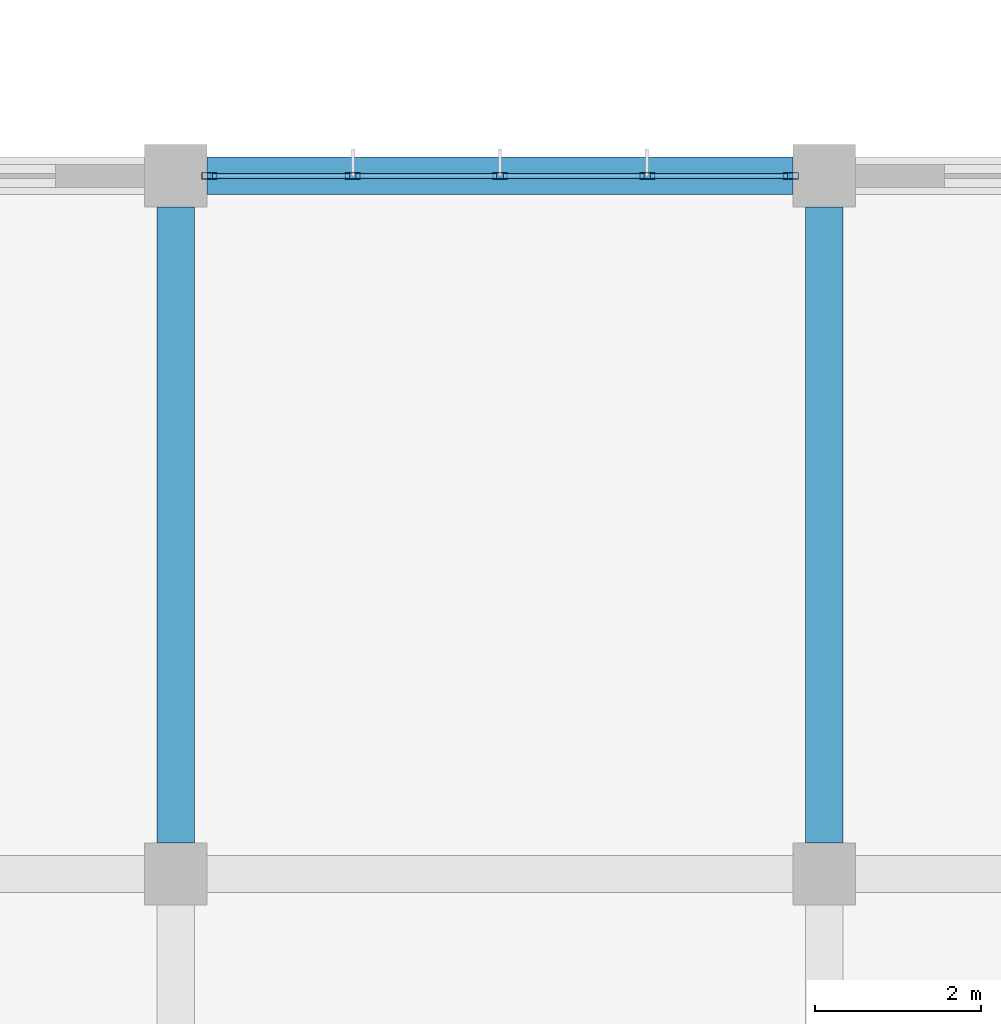
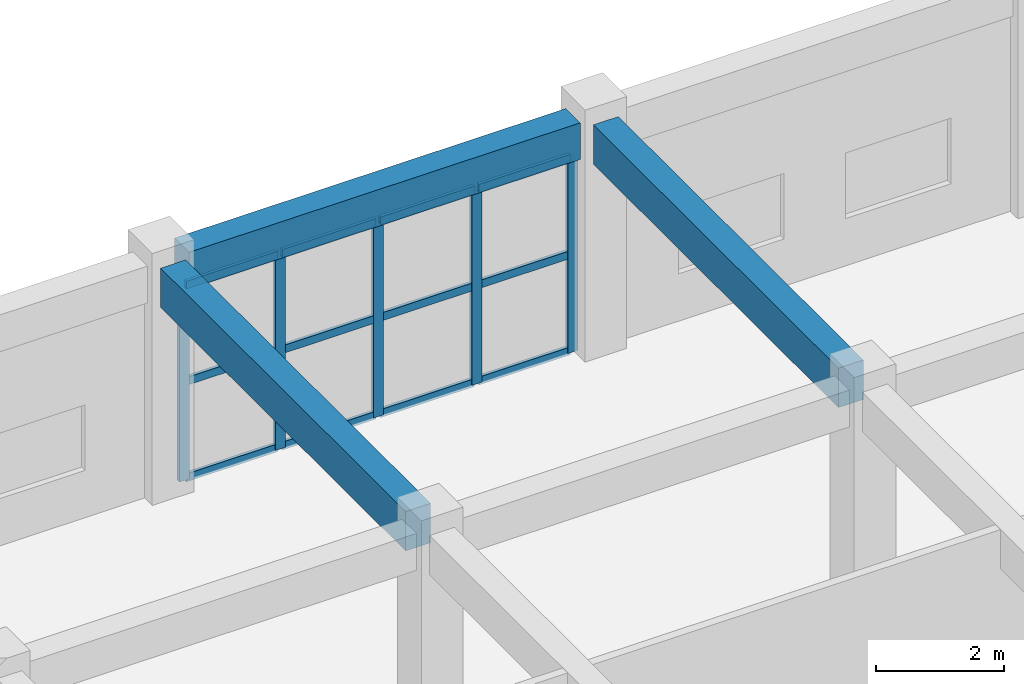
# One storey, part 119 of 167: 17 members, 3 beams, 1 element without a shape of its own.
"""IFC4 building model written with IfcOpenShell, lengths in metres."""

import ifcopenshell
import ifcopenshell.guid

model = None  # the IFC model being written
_history = None  # IfcOwnerHistory: only IFC2X3 demands one
_inside = {}  # id of a spatial element -> (the spatial element, [elements in it])
_under = {}  # id of a project, library or spatial element -> (it, [spatial elements below it])
_declared = {}  # id of a project -> (the project, [libraries it declares])
_typed = {}  # id of a type object -> (the type object, [elements of that type])
_made_of = {}  # id of a material, layer set ... -> (it, [elements and type objects made of it])


def new_model(schema):
    """Start an empty IFC model of exactly this schema.

    Asked for "IFC4X3", IfcOpenShell would pick the latest addendum, in which some entities
    have other attributes; the version numbers below select the first issue.
    IFC2X3 requires an IfcOwnerHistory on every rooted entity: one is made here for all.
    """
    global model, _history
    if schema == "IFC4X3":
        model = ifcopenshell.file(schema_version=(4, 3, 0, 0))
    else:
        model = ifcopenshell.file(schema=schema)
    _inside.clear()
    _under.clear()
    _declared.clear()
    _typed.clear()
    _made_of.clear()
    _history = None
    if model.schema == "IFC2X3":
        org = make("IfcOrganization", Name="unknown")
        user = make(
            "IfcPersonAndOrganization",
            ThePerson=make("IfcPerson", FamilyName="unknown"),
            TheOrganization=org,
        )
        app = make(
            "IfcApplication",
            ApplicationDeveloper=org,
            Version="unknown",
            ApplicationFullName="unknown",
            ApplicationIdentifier="unknown",
        )
        _history = make(
            "IfcOwnerHistory",
            OwningUser=user,
            OwningApplication=app,
            ChangeAction="ADDED",
            CreationDate=0,
        )
    return model


def make(cls, **values):
    """One entity of the class cls with the attributes given. An attribute that is None is left unset."""
    return model.create_entity(
        cls, **{name: value for name, value in values.items() if value is not None}
    )


def rooted(cls, **values):
    """An entity with a GlobalId (a new one), such as an element, a storey or a relation."""
    return make(cls, GlobalId=ifcopenshell.guid.new(), OwnerHistory=_history, **values)


def si_unit(unit_type, name, prefix=None):
    """IfcSIUnit, for example si_unit("LENGTHUNIT", "METRE", prefix="MILLI")."""
    return make("IfcSIUnit", UnitType=unit_type, Prefix=prefix, Name=name)


def assignment(units):
    """IfcUnitAssignment: the units of a project."""
    return None if units is None else make("IfcUnitAssignment", Units=units)


def point(xyz):
    """IfcCartesianPoint."""
    return None if xyz is None else make("IfcCartesianPoint", Coordinates=xyz)


def direction(xyz):
    """IfcDirection."""
    return None if xyz is None else make("IfcDirection", DirectionRatios=xyz)


def frame(location, z_axis=None, x_axis=None):
    """IfcAxis2Placement3D, a coordinate frame: its origin and axes. An axis left out is left unset."""
    return make(
        "IfcAxis2Placement3D",
        Location=point(location),
        Axis=direction(z_axis),
        RefDirection=direction(x_axis),
    )


def frame_2d(location, x_axis=None):
    """IfcAxis2Placement2D, a coordinate frame in the plane: its origin and x axis."""
    return make(
        "IfcAxis2Placement2D", Location=point(location), RefDirection=direction(x_axis)
    )


def origin():
    """The frame at (0, 0, 0) with its axes left unset."""
    return frame((0.0, 0.0, 0.0))


def origin_2d():
    """The frame at (0, 0) in the plane with its x axis left unset."""
    return frame_2d((0.0, 0.0))


def place(relative_to, where):
    """IfcLocalPlacement: puts the frame where relative to a parent placement (None: the world)."""
    return make(
        "IfcLocalPlacement", PlacementRelTo=relative_to, RelativePlacement=where
    )


def context(
    kind, dimensions, precision=None, world=None, true_north=None, identifier=None
):
    """IfcGeometricRepresentationContext, for example the 3D "Model" context."""
    return make(
        "IfcGeometricRepresentationContext",
        ContextIdentifier=identifier,
        ContextType=kind,
        CoordinateSpaceDimension=dimensions,
        Precision=precision,
        WorldCoordinateSystem=world,
        TrueNorth=true_north,
    )


def subcontext(parent, identifier, kind, view, scale=None):
    """IfcGeometricRepresentationSubContext, for example "Body" below "Model"."""
    return make(
        "IfcGeometricRepresentationSubContext",
        ContextIdentifier=identifier,
        ContextType=kind,
        ParentContext=parent,
        TargetScale=scale,
        TargetView=view,
    )


def project(units=None, contexts=None):
    """IfcProject with its units and contexts."""
    return rooted(
        "IfcProject",
        Name="project",
        RepresentationContexts=contexts,
        UnitsInContext=assignment(units),
    )


def spatial(cls, under=None, at=None, **own):
    """A site, building, storey or space (cls), placed at a placement, below another one or the project."""
    s = rooted(cls, ObjectPlacement=at, **own)
    if under is not None:
        _under.setdefault(under.id(), (under, []))[1].append(s)
    return s


def profile(cls, at=None, kind="AREA", **sizes):
    """A parametric profile (cls). Its sizes go by their IFC names, for example OverallWidth=200.0."""
    return make(cls, ProfileType=kind, Position=at, **sizes)


def rectangle(**sizes):
    """IfcRectangleProfileDef."""
    return profile("IfcRectangleProfileDef", **sizes)


def hollow_rectangle(**sizes):
    """IfcRectangleHollowProfileDef."""
    return profile("IfcRectangleHollowProfileDef", **sizes)


def extrude(swept, where, along, depth):
    """IfcExtrudedAreaSolid: the profile swept, set in the frame where, extruded along a direction by depth."""
    return make(
        "IfcExtrudedAreaSolid",
        SweptArea=swept,
        Position=where,
        ExtrudedDirection=direction(along),
        Depth=depth,
    )


def shape(context_of_items, identifier, shape_type, items):
    """IfcShapeRepresentation: the items that make up one representation, for example the "Body"."""
    return make(
        "IfcShapeRepresentation",
        ContextOfItems=context_of_items,
        RepresentationIdentifier=identifier,
        RepresentationType=shape_type,
        Items=items,
    )


def material(Name=None, Category=None):
    """IfcMaterial."""
    return make("IfcMaterial", Name=Name, Category=Category)


def layer(
    of_material, thickness, ventilated=None, Name=None, Category=None, Priority=None
):
    """IfcMaterialLayer: one layer of a wall or slab, of a material (None: an air gap)."""
    return make(
        "IfcMaterialLayer",
        Material=of_material,
        LayerThickness=thickness,
        IsVentilated=ventilated,
        Name=Name,
        Category=Category,
        Priority=Priority,
    )


def layer_set(layers, Name=None):
    """IfcMaterialLayerSet."""
    return make("IfcMaterialLayerSet", MaterialLayers=layers, LayerSetName=Name)


def material_profile(
    of_material, cross_section, Name=None, Category=None, Priority=None
):
    """IfcMaterialProfile: a cross section and its material."""
    return make(
        "IfcMaterialProfile",
        Name=Name,
        Material=of_material,
        Profile=cross_section,
        Priority=Priority,
        Category=Category,
    )


def profile_set(profiles, Name=None, composite=None):
    """IfcMaterialProfileSet."""
    return make(
        "IfcMaterialProfileSet",
        Name=Name,
        MaterialProfiles=profiles,
        CompositeProfile=composite,
    )


def made_of(thing, what):
    """Note that an element or type object is made of a material, layer set ...; save() writes the relation."""
    if what is not None:
        _made_of.setdefault(what.id(), (what, []))[1].append(thing)
    return thing


def type_object(cls, material=None, **own):
    """A type object (cls), such as IfcWallType, which elements share."""
    return made_of(rooted(cls, **own), material)


def element(
    cls,
    number,
    at=None,
    inside=None,
    cuts=None,
    type_object=None,
    material=None,
    context=None,
    identifier="Body",
    shape_type=None,
    held_by="IfcProductDefinitionShape",
    body=None,
    shapes=None,
    **own,
):
    """One element of the class cls, such as IfcWall. Its Tag is "e" and its number.

    at: its placement. inside: the storey or other place that contains it. cuts: it is an
    opening in that element (IfcRelVoidsElement). A single representation is given by context,
    identifier, shape_type and body (its items); several are given by shapes. held_by: the class
    of the entity that holds the representations. save() writes the other relations.
    """
    e = rooted(cls, Tag="e%d" % number, ObjectPlacement=at, **own)
    if body is not None:
        shapes = [shape(context, identifier, shape_type, body)]
    if shapes is not None:
        e.Representation = make(held_by, Representations=shapes)
    if inside is not None:
        _inside.setdefault(inside.id(), (inside, []))[1].append(e)
    if cuts is not None:
        rooted(
            "IfcRelVoidsElement", RelatingBuildingElement=cuts, RelatedOpeningElement=e
        )
    if type_object is not None:
        _typed.setdefault(type_object.id(), (type_object, []))[1].append(e)
    return made_of(e, material)


def aggregate(whole, parts):
    """IfcRelAggregates: a whole, such as a stair, and the parts it consists of."""
    return rooted("IfcRelAggregates", RelatingObject=whole, RelatedObjects=parts)


def save(model, path):
    """Write the relations noted so far, then the file.

    IfcRelAggregates (storeys below a building ...), IfcRelContainedInSpatialStructure (elements
    in a storey), IfcRelDefinesByType, IfcRelAssociatesMaterial and IfcRelDeclares: one each for
    every whole, place, type object, material and project.
    """
    for whole, parts in _under.values():
        aggregate(whole, parts)
    for where, things in _inside.values():
        rooted(
            "IfcRelContainedInSpatialStructure",
            RelatedElements=things,
            RelatingStructure=where,
        )
    for kind, things in _typed.values():
        rooted("IfcRelDefinesByType", RelatedObjects=things, RelatingType=kind)
    for what, things in _made_of.values():
        rooted("IfcRelAssociatesMaterial", RelatedObjects=things, RelatingMaterial=what)
    for by, libraries in _declared.values():
        rooted("IfcRelDeclares", RelatingContext=by, RelatedDefinitions=libraries)
    model.write(path)


model = new_model("IFC4")

# Units and contexts
model_context = context("Model", 3, precision=1e-05, world=origin(), true_north=direction((0.0, 1.0)))
body_context = subcontext(model_context, "Body", "Model", "MODEL_VIEW")
ifc_project = project(units=[si_unit("LENGTHUNIT", "METRE"), si_unit("AREAUNIT", "SQUARE_METRE"), si_unit("VOLUMEUNIT", "CUBIC_METRE"), si_unit("PLANEANGLEUNIT", "RADIAN"), si_unit("MASSUNIT", "GRAM", prefix="KILO")], contexts=[model_context])

# Site, building, storey
site_placement = place(None, origin())
site = spatial("IfcSite", under=ifc_project, at=site_placement, CompositionType="ELEMENT")
building_placement = place(site_placement, origin())
building = spatial("IfcBuilding", under=site, at=building_placement, Name="Zizhar Promenade General Hospital", CompositionType="ELEMENT")
storey_placement = place(building_placement, frame((0.0, 0.0, 9.60009765625)))
storey = spatial("IfcBuildingStorey", under=building, at=storey_placement, Name="L02", CompositionType="ELEMENT", Elevation=9.60009765625)

# Beams
ifc_material_1 = material(Name="Concrete C35/45", Category="concrete")
ifc_material_profile_1 = material_profile(ifc_material_1, rectangle(XDim=0.449951171875, YDim=0.699951171875, at=origin_2d()))
ifc_profile_set_1 = profile_set([ifc_material_profile_1], Name="Concrete C35/45")
beam_type_1 = type_object("IfcBeamType", Name="BM-RC-450x700", PredefinedType="BEAM", material=ifc_profile_set_1)
beam_placement = place(storey_placement, frame((70.574951171875, 134.39990234375, 4.119873046875), z_axis=(1.0, 0.0, 0.0), x_axis=(0.0, 1.0, 0.0)))
element("IfcBeam", 1, at=beam_placement, inside=storey, type_object=beam_type_1, Name="Grid Beam X L02 (9-16)", PredefinedType="BEAM", context=body_context, shape_type="SweptSolid", body=[
    extrude(rectangle(XDim=0.449951171875, YDim=0.699951171875, at=origin_2d()), origin(), (0.0, 0.0, 1.0), 7.050048828125),
])
ifc_material_2 = material(Name="Concrete C35/45", Category="concrete")
ifc_material_profile_2 = material_profile(ifc_material_2, rectangle(XDim=0.449951171875, YDim=0.75, at=origin_2d()))
ifc_profile_set_2 = profile_set([ifc_material_profile_2], Name="Concrete C35/45")
beam_type_2 = type_object("IfcBeamType", Name="BM-RC-450x750", PredefinedType="BEAM", material=ifc_profile_set_2)
for number, where, z_axis, x_axis, name in (
    (2, (70.199951171875, 126.375, 4.094970703125), (0.0, 1.0, 0.0), (-1.0, 0.0, 0.0), "Grid Beam Y L02 (9-15)"),
    (3, (78.0, 126.375, 4.094970703125), (0.0, 1.0, 0.0), (-1.0, 0.0, 0.0), "Grid Beam Y L02 (10-15)"),
):
    element("IfcBeam", number, at=place(storey_placement, frame(where, z_axis=z_axis, x_axis=x_axis)), inside=storey, type_object=beam_type_2, Name=name, PredefinedType="BEAM", context=body_context, shape_type="SweptSolid", body=[
        extrude(rectangle(XDim=0.449951171875, YDim=0.75, at=origin_2d()), origin(), (0.0, 0.0, 1.0), 7.64990234375),
    ])

# Curtain wall, members
ifc_material_3 = material(Name="Anodised aluminium 6063-T6 and low-E glass", Category="aluminium")
ifc_layer = layer(ifc_material_3, 0.159912109375)
ifc_layer_set = layer_set([ifc_layer], Name="Anodised aluminium 6063-T6 and low-E glass")
curtain_wall_type = type_object("IfcCurtainWallType", Name="CW-DT-MOD2", PredefinedType="NOTDEFINED", material=ifc_layer_set)
curtain_wall_placement = place(storey_placement, origin())
curtain_wall = element("IfcCurtainWall", 4, at=curtain_wall_placement, inside=storey, type_object=curtain_wall_type, Name="Surgical North Glazed Curtain Wall L02-9", PredefinedType="NOTDEFINED")
ifc_material_4 = material(Name="Anodised aluminium 6063-T6", Category="aluminium")
ifc_material_profile_3 = material_profile(ifc_material_4, hollow_rectangle(XDim=0.080078125, YDim=0.179931640625, WallThickness=0.0048828125, at=origin_2d()))
ifc_profile_set_3 = profile_set([ifc_material_profile_3], Name="Anodised aluminium 6063-T6")
member_type_1 = type_object("IfcMemberType", Name="CWM-ALU-180x80", PredefinedType="MULLION", material=ifc_profile_set_3)
member_1_placement = place(storey_placement, frame((70.60009765625, 134.39990234375, 0.0), z_axis=(0.0, 0.0, 1.0), x_axis=(0.0, 1.0, 0.0)))
member_1 = element("IfcMember", 5, at=member_1_placement, type_object=member_type_1, Name="CW-08 mullion 1", PredefinedType="MULLION", context=body_context, shape_type="SweptSolid", body=[
    extrude(hollow_rectangle(XDim=0.080078125, YDim=0.179931640625, WallThickness=0.0048828125, at=origin_2d()), origin(), (0.0, 0.0, 1.0), 3.72998046875),
])
member_2_placement = place(storey_placement, frame((72.330078125, 134.39990234375, 0.0), z_axis=(0.0, 0.0, 1.0), x_axis=(0.0, 1.0, 0.0)))
member_2 = element("IfcMember", 6, at=member_2_placement, type_object=member_type_1, Name="CW-08 mullion 2", PredefinedType="MULLION", context=body_context, shape_type="SweptSolid", body=[
    extrude(hollow_rectangle(XDim=0.080078125, YDim=0.179931640625, WallThickness=0.0048828125, at=origin_2d()), origin(), (0.0, 0.0, 1.0), 3.72998046875),
])
member_3_placement = place(storey_placement, frame((74.10009765625, 134.39990234375, 0.0), z_axis=(0.0, 0.0, 1.0), x_axis=(0.0, 1.0, 0.0)))
member_3 = element("IfcMember", 7, at=member_3_placement, type_object=member_type_1, Name="CW-08 mullion 3", PredefinedType="MULLION", context=body_context, shape_type="SweptSolid", body=[
    extrude(hollow_rectangle(XDim=0.080078125, YDim=0.179931640625, WallThickness=0.0048828125, at=origin_2d()), origin(), (0.0, 0.0, 1.0), 3.72998046875),
])
member_4_placement = place(storey_placement, frame((75.8701171875, 134.39990234375, 0.0), z_axis=(0.0, 0.0, 1.0), x_axis=(0.0, 1.0, 0.0)))
member_4 = element("IfcMember", 8, at=member_4_placement, type_object=member_type_1, Name="CW-08 mullion 4", PredefinedType="MULLION", context=body_context, shape_type="SweptSolid", body=[
    extrude(hollow_rectangle(XDim=0.080078125, YDim=0.179931640625, WallThickness=0.0048828125, at=origin_2d()), origin(), (0.0, 0.0, 1.0), 3.72998046875),
])
member_5_placement = place(storey_placement, frame((77.60009765625, 134.39990234375, 0.0), z_axis=(0.0, 0.0, 1.0), x_axis=(0.0, 1.0, 0.0)))
member_5 = element("IfcMember", 9, at=member_5_placement, type_object=member_type_1, Name="CW-08 mullion 5", PredefinedType="MULLION", context=body_context, shape_type="SweptSolid", body=[
    extrude(hollow_rectangle(XDim=0.080078125, YDim=0.179931640625, WallThickness=0.0048828125, at=origin_2d()), origin(), (0.0, 0.0, 1.0), 3.72998046875),
])
ifc_material_5 = material(Name="Anodised aluminium 6063-T6", Category="aluminium")
ifc_material_profile_4 = material_profile(ifc_material_5, hollow_rectangle(XDim=0.06005859375, YDim=0.14990234375, WallThickness=0.00390625, at=origin_2d()))
ifc_profile_set_4 = profile_set([ifc_material_profile_4], Name="Anodised aluminium 6063-T6")
member_type_2 = type_object("IfcMemberType", Name="CWT-ALU-150x60", PredefinedType="USERDEFINED", material=ifc_profile_set_4)
member_6_placement = place(storey_placement, frame((70.639892578125, 134.39990234375, 0.02978515625), z_axis=(1.0, 0.0, 0.0), x_axis=(0.0, 1.0, 0.0)))
member_6 = element("IfcMember", 10, at=member_6_placement, type_object=member_type_2, Name="CW-08 transom 1.1", ObjectType="TRANSOM", PredefinedType="USERDEFINED", context=body_context, shape_type="SweptSolid", body=[
    extrude(hollow_rectangle(XDim=0.06005859375, YDim=0.14990234375, WallThickness=0.00390625, at=origin_2d()), origin(), (0.0, 0.0, 1.0), 1.650146484375),
])
member_7_placement = place(storey_placement, frame((70.639892578125, 134.39990234375, 1.864990234375), z_axis=(1.0, 0.0, 0.0), x_axis=(0.0, 1.0, 0.0)))
member_7 = element("IfcMember", 11, at=member_7_placement, type_object=member_type_2, Name="CW-08 transom 1.2", ObjectType="TRANSOM", PredefinedType="USERDEFINED", context=body_context, shape_type="SweptSolid", body=[
    extrude(hollow_rectangle(XDim=0.06005859375, YDim=0.14990234375, WallThickness=0.00390625, at=origin_2d()), origin(), (0.0, 0.0, 1.0), 1.650146484375),
])
member_8_placement = place(storey_placement, frame((70.639892578125, 134.39990234375, 3.699951171875), z_axis=(1.0, 0.0, 0.0), x_axis=(0.0, 1.0, 0.0)))
member_8 = element("IfcMember", 12, at=member_8_placement, type_object=member_type_2, Name="CW-08 transom 1.3", ObjectType="TRANSOM", PredefinedType="USERDEFINED", context=body_context, shape_type="SweptSolid", body=[
    extrude(hollow_rectangle(XDim=0.06005859375, YDim=0.14990234375, WallThickness=0.00390625, at=origin_2d()), origin(), (0.0, 0.0, 1.0), 1.650146484375),
])
member_9_placement = place(storey_placement, frame((72.3701171875, 134.39990234375, 0.02978515625), z_axis=(1.0, 0.0, 0.0), x_axis=(0.0, 1.0, 0.0)))
member_9 = element("IfcMember", 13, at=member_9_placement, type_object=member_type_2, Name="CW-08 transom 2.1", ObjectType="TRANSOM", PredefinedType="USERDEFINED", context=body_context, shape_type="SweptSolid", body=[
    extrude(hollow_rectangle(XDim=0.06005859375, YDim=0.14990234375, WallThickness=0.00390625, at=origin_2d()), origin(), (0.0, 0.0, 1.0), 1.68994140625),
])
member_10_placement = place(storey_placement, frame((72.3701171875, 134.39990234375, 1.864990234375), z_axis=(1.0, 0.0, 0.0), x_axis=(0.0, 1.0, 0.0)))
member_10 = element("IfcMember", 14, at=member_10_placement, type_object=member_type_2, Name="CW-08 transom 2.2", ObjectType="TRANSOM", PredefinedType="USERDEFINED", context=body_context, shape_type="SweptSolid", body=[
    extrude(hollow_rectangle(XDim=0.06005859375, YDim=0.14990234375, WallThickness=0.00390625, at=origin_2d()), origin(), (0.0, 0.0, 1.0), 1.68994140625),
])
member_11_placement = place(storey_placement, frame((72.3701171875, 134.39990234375, 3.699951171875), z_axis=(1.0, 0.0, 0.0), x_axis=(0.0, 1.0, 0.0)))
member_11 = element("IfcMember", 15, at=member_11_placement, type_object=member_type_2, Name="CW-08 transom 2.3", ObjectType="TRANSOM", PredefinedType="USERDEFINED", context=body_context, shape_type="SweptSolid", body=[
    extrude(hollow_rectangle(XDim=0.06005859375, YDim=0.14990234375, WallThickness=0.00390625, at=origin_2d()), origin(), (0.0, 0.0, 1.0), 1.68994140625),
])
member_12_placement = place(storey_placement, frame((74.139892578125, 134.39990234375, 0.02978515625), z_axis=(1.0, 0.0, 0.0), x_axis=(0.0, 1.0, 0.0)))
member_12 = element("IfcMember", 16, at=member_12_placement, type_object=member_type_2, Name="CW-08 transom 3.1", ObjectType="TRANSOM", PredefinedType="USERDEFINED", context=body_context, shape_type="SweptSolid", body=[
    extrude(hollow_rectangle(XDim=0.06005859375, YDim=0.14990234375, WallThickness=0.00390625, at=origin_2d()), origin(), (0.0, 0.0, 1.0), 1.690185546875),
])
member_13_placement = place(storey_placement, frame((74.139892578125, 134.39990234375, 1.864990234375), z_axis=(1.0, 0.0, 0.0), x_axis=(0.0, 1.0, 0.0)))
member_13 = element("IfcMember", 17, at=member_13_placement, type_object=member_type_2, Name="CW-08 transom 3.2", ObjectType="TRANSOM", PredefinedType="USERDEFINED", context=body_context, shape_type="SweptSolid", body=[
    extrude(hollow_rectangle(XDim=0.06005859375, YDim=0.14990234375, WallThickness=0.00390625, at=origin_2d()), origin(), (0.0, 0.0, 1.0), 1.690185546875),
])
member_14_placement = place(storey_placement, frame((74.139892578125, 134.39990234375, 3.699951171875), z_axis=(1.0, 0.0, 0.0), x_axis=(0.0, 1.0, 0.0)))
member_14 = element("IfcMember", 18, at=member_14_placement, type_object=member_type_2, Name="CW-08 transom 3.3", ObjectType="TRANSOM", PredefinedType="USERDEFINED", context=body_context, shape_type="SweptSolid", body=[
    extrude(hollow_rectangle(XDim=0.06005859375, YDim=0.14990234375, WallThickness=0.00390625, at=origin_2d()), origin(), (0.0, 0.0, 1.0), 1.690185546875),
])
member_15_placement = place(storey_placement, frame((75.909912109375, 134.39990234375, 0.02978515625), z_axis=(1.0, 0.0, 0.0), x_axis=(0.0, 1.0, 0.0)))
member_15 = element("IfcMember", 19, at=member_15_placement, type_object=member_type_2, Name="CW-08 transom 4.1", ObjectType="TRANSOM", PredefinedType="USERDEFINED", context=body_context, shape_type="SweptSolid", body=[
    extrude(hollow_rectangle(XDim=0.06005859375, YDim=0.14990234375, WallThickness=0.00390625, at=origin_2d()), origin(), (0.0, 0.0, 1.0), 1.650146484375),
])
member_16_placement = place(storey_placement, frame((75.909912109375, 134.39990234375, 1.864990234375), z_axis=(1.0, 0.0, 0.0), x_axis=(0.0, 1.0, 0.0)))
member_16 = element("IfcMember", 20, at=member_16_placement, type_object=member_type_2, Name="CW-08 transom 4.2", ObjectType="TRANSOM", PredefinedType="USERDEFINED", context=body_context, shape_type="SweptSolid", body=[
    extrude(hollow_rectangle(XDim=0.06005859375, YDim=0.14990234375, WallThickness=0.00390625, at=origin_2d()), origin(), (0.0, 0.0, 1.0), 1.650146484375),
])
member_17_placement = place(storey_placement, frame((75.909912109375, 134.39990234375, 3.699951171875), z_axis=(1.0, 0.0, 0.0), x_axis=(0.0, 1.0, 0.0)))
member_17 = element("IfcMember", 21, at=member_17_placement, type_object=member_type_2, Name="CW-08 transom 4.3", ObjectType="TRANSOM", PredefinedType="USERDEFINED", context=body_context, shape_type="SweptSolid", body=[
    extrude(hollow_rectangle(XDim=0.06005859375, YDim=0.14990234375, WallThickness=0.00390625, at=origin_2d()), origin(), (0.0, 0.0, 1.0), 1.650146484375),
])
aggregate(curtain_wall, [member_1, member_2, member_3, member_4, member_5, member_6, member_7, member_8, member_9, member_10, member_11, member_12, member_13, member_14, member_15, member_16, member_17])

save(model, "model.ifc")
